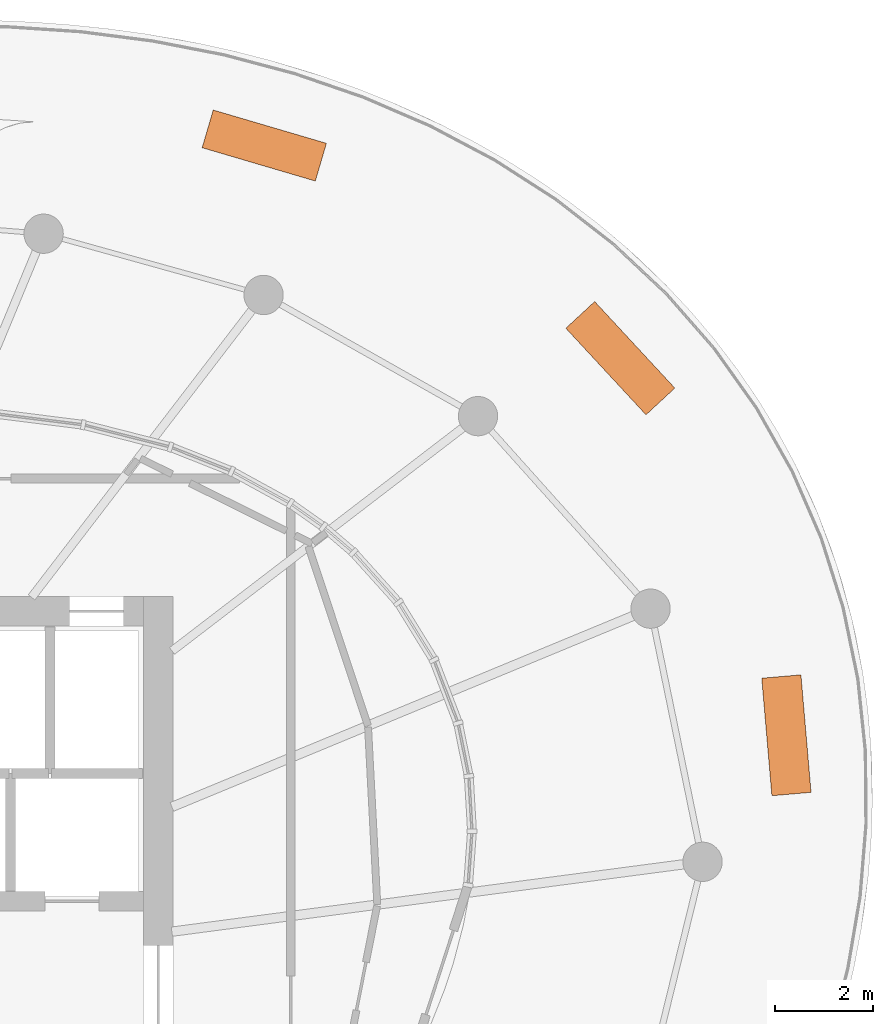
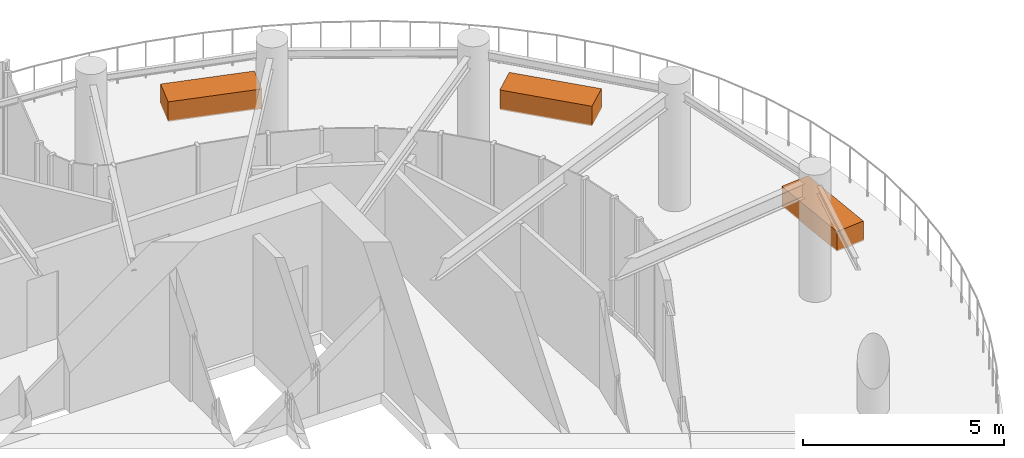
# One storey, part 19 of 19: 3 proxies.
"""IFC4 building model written with IfcOpenShell, lengths in metres."""

from ifc_helpers import new_model, si_unit, direction, frame, origin, origin_2d, place, context, subcontext, project, spatial, rectangle, extrude, source, transform, mapped, element, save


model = new_model("IFC4")

# Units and contexts
model_context = context("Model", 3, precision=1e-05, world=origin(), true_north=direction((0.0, 1.0)))
body_context = subcontext(model_context, "Body", "Model", "MODEL_VIEW")
ifc_project = project(units=[si_unit("LENGTHUNIT", "METRE"), si_unit("AREAUNIT", "SQUARE_METRE"), si_unit("VOLUMEUNIT", "CUBIC_METRE"), si_unit("PLANEANGLEUNIT", "RADIAN"), si_unit("MASSUNIT", "GRAM", prefix="KILO")], contexts=[model_context])

# Site, building, storey
site_placement = place(None, origin())
site = spatial("IfcSite", under=ifc_project, at=site_placement, CompositionType="ELEMENT")
building_placement = place(site_placement, origin())
building = spatial("IfcBuilding", under=site, at=building_placement, Name="Spindrift Exchange Tower", CompositionType="ELEMENT")
storey_placement = place(building_placement, frame((0.0, 0.0, 234.5)))
storey = spatial("IfcBuildingStorey", under=building, at=storey_placement, Name="L57", CompositionType="ELEMENT", Elevation=234.5)

# Proxies
shared_shape = source(origin(), body_context, "Body", "SweptSolid", [
    extrude(rectangle(XDim=2.39990234375, YDim=0.800048828125, at=origin_2d()), origin(), (0.0, 0.0, 1.0), 0.60009765625),
])
for number, where, z_axis, x_axis, name in (
    (1, (62.86083984375, 65.176513671875, 0.0), (0.0, 0.0, 1.0), (0.959327278503, -0.282296249923, 0.0), "L57 PLANTER 01"),
    (2, (70.10498046875, 60.85009765625, 0.0), (0.0, 0.0, 1.0), (0.679516856071, -0.733659895535, 0.0), "L57 PLANTER 02"),
    (3, (73.4833984375, 53.177978515625, 0.0), (0.0, 0.0, 1.0), (0.085895124693, -0.99630418425, 0.0), "L57 PLANTER 03"),
):
    element("IfcBuildingElementProxy", number, at=place(storey_placement, frame(where, z_axis=z_axis, x_axis=x_axis)), inside=storey, Name=name, ObjectType="PLANTER", PredefinedType="USERDEFINED", context=body_context, shape_type="MappedRepresentation", body=[
        mapped(shared_shape, transform((0.0, 0.0, 0.0), scale=1.0)),
    ])

save(model, "model.ifc")
